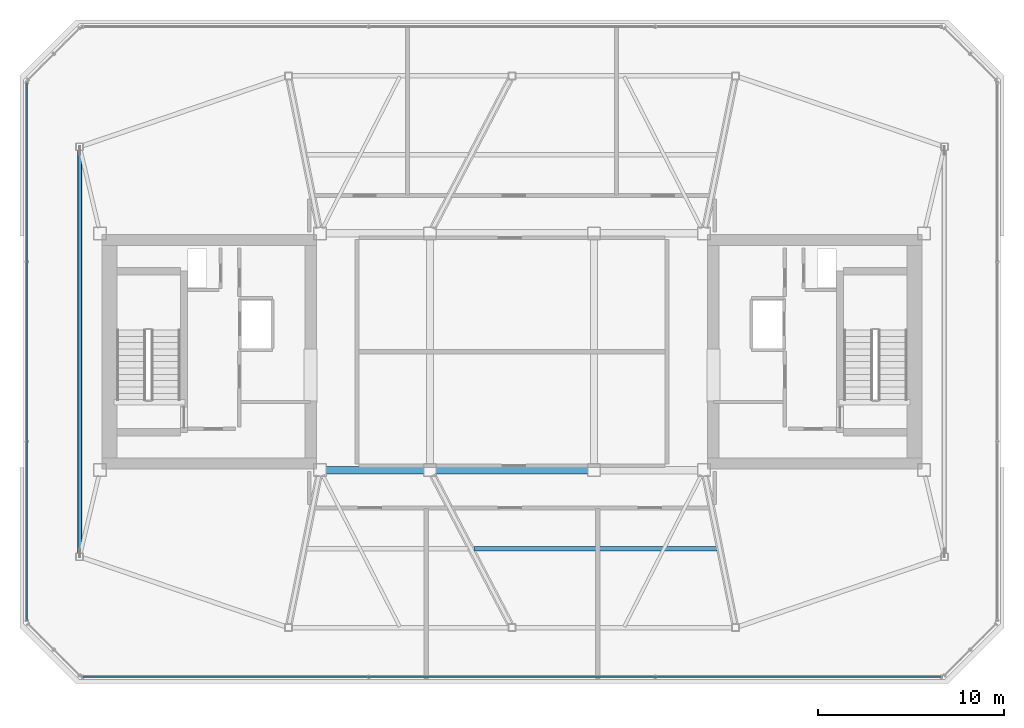
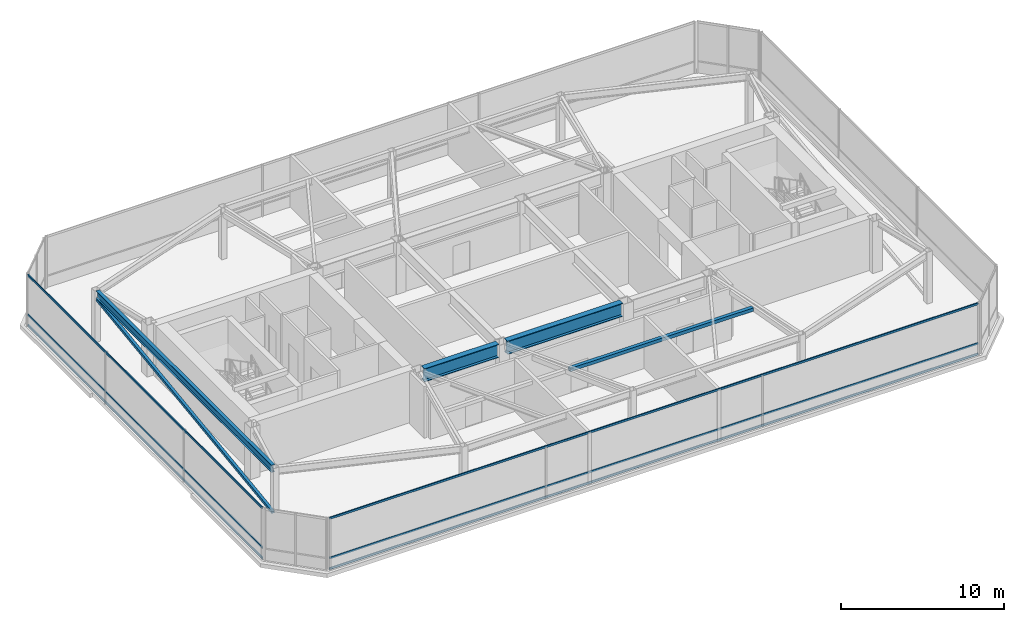
# One storey, part 5 of 22: 8 members, 3 beams, 2 elements without a shape of their own.
"""IFC4 building model written with IfcOpenShell, lengths in metres."""

from ifc_helpers import new_model, si_unit, direction, frame, origin, origin_2d, place, context, subcontext, project, spatial, hollow_rectangle, i_section, extrude, material, layer, layer_set, material_profile, profile_set, type_object, element, aggregate, save


model = new_model("IFC4")

# Units and contexts
model_context = context("Model", 3, precision=1e-05, world=origin(), true_north=direction((0.0, 1.0)))
body_context = subcontext(model_context, "Body", "Model", "MODEL_VIEW")
ifc_project = project(units=[si_unit("LENGTHUNIT", "METRE"), si_unit("AREAUNIT", "SQUARE_METRE"), si_unit("VOLUMEUNIT", "CUBIC_METRE"), si_unit("PLANEANGLEUNIT", "RADIAN"), si_unit("MASSUNIT", "GRAM", prefix="KILO")], contexts=[model_context])

# Site, building, storey
site_placement = place(None, origin())
site = spatial("IfcSite", under=ifc_project, at=site_placement, CompositionType="ELEMENT")
building_placement = place(site_placement, origin())
building = spatial("IfcBuilding", under=site, at=building_placement, Name="Tavrogorsk Clinical Tower", CompositionType="ELEMENT")
storey_placement = place(building_placement, frame((0.0, 0.0, 352.800048828125)))
storey = spatial("IfcBuildingStorey", under=building, at=storey_placement, Name="L82", CompositionType="ELEMENT", Elevation=352.800048828125)

# Members
ifc_material_1 = material(Name="Structural steel S355", Category="steel")
ifc_material_profile_1 = material_profile(ifc_material_1, hollow_rectangle(XDim=0.199951171875, YDim=0.199951171875, WallThickness=0.010009765625, at=origin_2d()), Name="SHS-200x200x10")
ifc_profile_set_1 = profile_set([ifc_material_profile_1], Name="Structural steel S355")
member_type_1 = type_object("IfcMemberType", Name="CrownBrace_SHS200", PredefinedType="BRACE", material=ifc_profile_set_1)
member_1_placement = place(storey_placement, frame((-23.199951171875, -10.791748046875, 0.32763671875), z_axis=(0.0, 0.991247670493, 0.132015361767), x_axis=(-1.0, 0.0, 0.0)))
element("IfcMember", 1, at=member_1_placement, inside=storey, type_object=member_type_1, Name="L82 Crown Drum Brace 1", PredefinedType="BRACE", context=body_context, shape_type="SweptSolid", body=[
    extrude(hollow_rectangle(XDim=0.199951171875, YDim=0.199951171875, WallThickness=0.010009765625, at=origin_2d()), origin(), (0.0, 0.0, 1.0), 21.774169921875),
])
ifc_material_2 = material(Name="Structural steel S355", Category="steel")
ifc_material_profile_2 = material_profile(ifc_material_2, hollow_rectangle(XDim=0.25, YDim=0.25, WallThickness=0.012451171875, at=origin_2d()), Name="SHS-250x250x12.5")
ifc_profile_set_2 = profile_set([ifc_material_profile_2], Name="Structural steel S355")
member_type_2 = type_object("IfcMemberType", Name="CrownFacetPurlin_SHS250", PredefinedType="PURLIN", material=ifc_profile_set_2)
member_2_placement = place(storey_placement, frame((-2.0400390625, -10.574951171875, 3.510009765625), z_axis=(1.0, 0.0, 0.0), x_axis=(0.0, 1.0, 0.0)))
element("IfcMember", 2, at=member_2_placement, inside=storey, type_object=member_type_2, Name="L82 Crown Facet Purlin S-2", PredefinedType="PURLIN", context=body_context, shape_type="SweptSolid", body=[
    extrude(hollow_rectangle(XDim=0.25, YDim=0.25, WallThickness=0.012451171875, at=origin_2d()), origin(), (0.0, 0.0, 1.0), 13.030029296875),
])

# Curtain wall, members
ifc_material_3 = material(Name="Anodised aluminium and triple IGU glazing", Category="aluminium")
ifc_layer = layer(ifc_material_3, 0.179931640625)
ifc_layer_set = layer_set([ifc_layer], Name="Anodised aluminium and triple IGU glazing")
curtain_wall_type = type_object("IfcCurtainWallType", Name="CW5_SkyLobby", PredefinedType="NOTDEFINED", material=ifc_layer_set)
curtain_wall_1_placement = place(storey_placement, origin())
curtain_wall_1 = element("IfcCurtainWall", 3, at=curtain_wall_1_placement, inside=storey, type_object=curtain_wall_type, Name="L82 Curtain Wall CW-L82-DRUM-2", PredefinedType="NOTDEFINED")
ifc_material_4 = material(Name="Anodised aluminium alloy AW-6060", Category="aluminium")
ifc_material_profile_3 = material_profile(ifc_material_4, hollow_rectangle(XDim=0.074951171875, YDim=0.14990234375, WallThickness=0.0048828125, at=origin_2d()), Name="RHS-150x75x5")
ifc_profile_set_3 = profile_set([ifc_material_profile_3], Name="Anodised aluminium alloy AW-6060")
member_type_3 = type_object("IfcMemberType", Name="CwTransom_150x75", PredefinedType="USERDEFINED", material=ifc_profile_set_3)
member_3_placement = place(storey_placement, frame((-26.0400390625, -14.4287109375, 0.050048828125), z_axis=(0.0, 1.0, 0.0), x_axis=(-1.0, 0.0, 0.0)))
member_3 = element("IfcMember", 4, at=member_3_placement, type_object=member_type_3, Name="CW-L82-DRUM-2 Transom 1", ObjectType="TRANSOM", PredefinedType="USERDEFINED", context=body_context, shape_type="SweptSolid", body=[
    extrude(hollow_rectangle(XDim=0.074951171875, YDim=0.14990234375, WallThickness=0.0048828125, at=origin_2d()), origin(), (0.0, 0.0, 1.0), 28.857421875),
])
member_4_placement = place(storey_placement, frame((-26.0400390625, -14.4287109375, 0.849853515625), z_axis=(0.0, 1.0, 0.0), x_axis=(-1.0, 0.0, 0.0)))
member_4 = element("IfcMember", 5, at=member_4_placement, type_object=member_type_3, Name="CW-L82-DRUM-2 Transom 2", ObjectType="TRANSOM", PredefinedType="USERDEFINED", context=body_context, shape_type="SweptSolid", body=[
    extrude(hollow_rectangle(XDim=0.074951171875, YDim=0.14990234375, WallThickness=0.0048828125, at=origin_2d()), origin(), (0.0, 0.0, 1.0), 28.857421875),
])
member_5_placement = place(storey_placement, frame((-26.0400390625, -14.4287109375, 3.829833984375), z_axis=(0.0, 1.0, 0.0), x_axis=(-1.0, 0.0, 0.0)))
member_5 = element("IfcMember", 6, at=member_5_placement, type_object=member_type_3, Name="CW-L82-DRUM-2 Transom 3", ObjectType="TRANSOM", PredefinedType="USERDEFINED", context=body_context, shape_type="SweptSolid", body=[
    extrude(hollow_rectangle(XDim=0.074951171875, YDim=0.14990234375, WallThickness=0.0048828125, at=origin_2d()), origin(), (0.0, 0.0, 1.0), 28.857421875),
])
aggregate(curtain_wall_1, [member_3, member_4, member_5])

curtain_wall_2_placement = place(storey_placement, origin())
curtain_wall_2 = element("IfcCurtainWall", 7, at=curtain_wall_2_placement, inside=storey, type_object=curtain_wall_type, Name="L82 Curtain Wall CW-L82-DRUM-8", PredefinedType="NOTDEFINED")
member_6_placement = place(storey_placement, frame((23.02880859375, -17.43994140625, 0.050048828125), z_axis=(-1.0, 0.0, 0.0), x_axis=(0.0, -1.0, 0.0)))
member_6 = element("IfcMember", 8, at=member_6_placement, type_object=member_type_3, Name="CW-L82-DRUM-8 Transom 1", ObjectType="TRANSOM", PredefinedType="USERDEFINED", context=body_context, shape_type="SweptSolid", body=[
    extrude(hollow_rectangle(XDim=0.074951171875, YDim=0.14990234375, WallThickness=0.0048828125, at=origin_2d()), origin(), (0.0, 0.0, 1.0), 46.0576171875),
])
member_7_placement = place(storey_placement, frame((23.02880859375, -17.43994140625, 0.849853515625), z_axis=(-1.0, 0.0, 0.0), x_axis=(0.0, -1.0, 0.0)))
member_7 = element("IfcMember", 9, at=member_7_placement, type_object=member_type_3, Name="CW-L82-DRUM-8 Transom 2", ObjectType="TRANSOM", PredefinedType="USERDEFINED", context=body_context, shape_type="SweptSolid", body=[
    extrude(hollow_rectangle(XDim=0.074951171875, YDim=0.14990234375, WallThickness=0.0048828125, at=origin_2d()), origin(), (0.0, 0.0, 1.0), 46.0576171875),
])
member_8_placement = place(storey_placement, frame((23.02880859375, -17.43994140625, 3.829833984375), z_axis=(-1.0, 0.0, 0.0), x_axis=(0.0, -1.0, 0.0)))
member_8 = element("IfcMember", 10, at=member_8_placement, type_object=member_type_3, Name="CW-L82-DRUM-8 Transom 3", ObjectType="TRANSOM", PredefinedType="USERDEFINED", context=body_context, shape_type="SweptSolid", body=[
    extrude(hollow_rectangle(XDim=0.074951171875, YDim=0.14990234375, WallThickness=0.0048828125, at=origin_2d()), origin(), (0.0, 0.0, 1.0), 46.0576171875),
])
aggregate(curtain_wall_2, [member_6, member_7, member_8])

# Beams
ifc_material_5 = material(Name="Structural steel S390", Category="steel")
ifc_material_profile_4 = material_profile(ifc_material_5, i_section(OverallWidth=0.239990234375, OverallDepth=0.550048828125, WebThickness=0.013916015625, FlangeThickness=0.02197265625, at=origin_2d()), Name="B-550x240x14x22")
ifc_profile_set_4 = profile_set([ifc_material_profile_4], Name="Structural steel S390")
beam_type_1 = type_object("IfcBeamType", Name="SpandrelBeam_B550", PredefinedType="SPANDREL", material=ifc_profile_set_4)
beam_1_placement = place(storey_placement, frame((-23.199951171875, 10.81005859375, 3.60498046875), z_axis=(0.0, -1.0, 0.0), x_axis=(1.0, 0.0, 0.0)))
element("IfcBeam", 11, at=beam_1_placement, inside=storey, type_object=beam_type_1, Name="L82 Crown Spandrel Beam 09", PredefinedType="SPANDREL", context=body_context, shape_type="SweptSolid", body=[
    extrude(i_section(OverallWidth=0.239990234375, OverallDepth=0.550048828125, WebThickness=0.013916015625, FlangeThickness=0.02197265625, at=origin_2d()), origin(), (0.0, 0.0, 1.0), 21.6201171875),
])
ifc_material_6 = material(Name="Structural steel S440", Category="steel")
ifc_material_profile_5 = material_profile(ifc_material_6, i_section(OverallWidth=0.39990234375, OverallDepth=1.0, WebThickness=0.028076171875, FlangeThickness=0.044921875, at=origin_2d()), Name="DK-1000x400x28x45")
ifc_profile_set_5 = profile_set([ifc_material_profile_5], Name="Structural steel S440")
beam_type_2 = type_object("IfcBeamType", Name="TransferGirder_DK1000", PredefinedType="USERDEFINED", material=ifc_profile_set_5)
beam_2_placement = place(storey_placement, frame((-9.989990234375, -6.35009765625, 3.3798828125), z_axis=(1.0, 0.0, 0.0), x_axis=(0.0, 1.0, 0.0)))
element("IfcBeam", 12, at=beam_2_placement, inside=storey, type_object=beam_type_2, Name="L82 Primary Spine Girder MG-01", ObjectType="GIRDER", PredefinedType="USERDEFINED", context=body_context, shape_type="SweptSolid", body=[
    extrude(i_section(OverallWidth=0.39990234375, OverallDepth=1.0, WebThickness=0.028076171875, FlangeThickness=0.044921875, at=origin_2d()), origin(), (0.0, 0.0, 1.0), 5.280029296875),
])
beam_3_placement = place(storey_placement, frame((-4.090087890625, -6.35009765625, 3.3798828125), z_axis=(1.0, 0.0, 0.0), x_axis=(0.0, 1.0, 0.0)))
element("IfcBeam", 13, at=beam_3_placement, inside=storey, type_object=beam_type_2, Name="L82 Primary Spine Girder MG-03", ObjectType="GIRDER", PredefinedType="USERDEFINED", context=body_context, shape_type="SweptSolid", body=[
    extrude(i_section(OverallWidth=0.39990234375, OverallDepth=1.0, WebThickness=0.028076171875, FlangeThickness=0.044921875, at=origin_2d()), origin(), (0.0, 0.0, 1.0), 8.18017578125),
])

save(model, "model.ifc")
